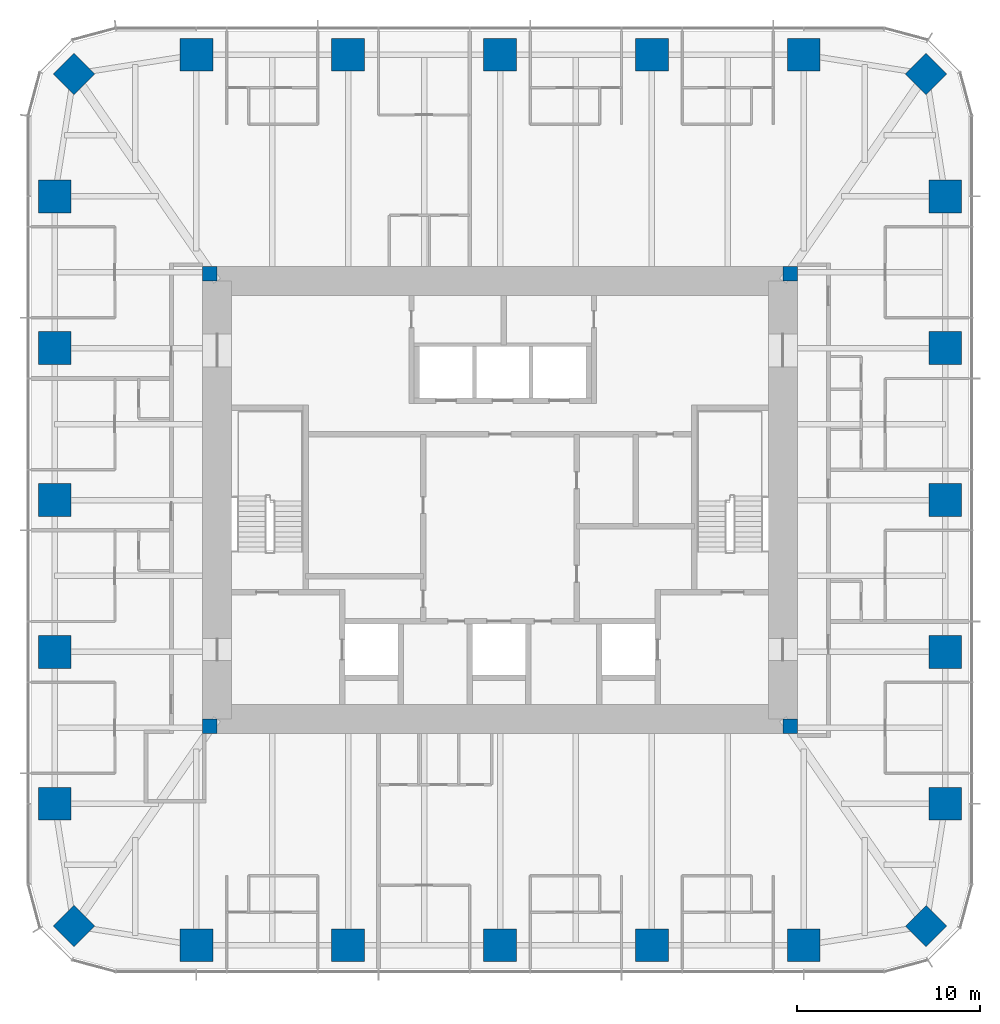
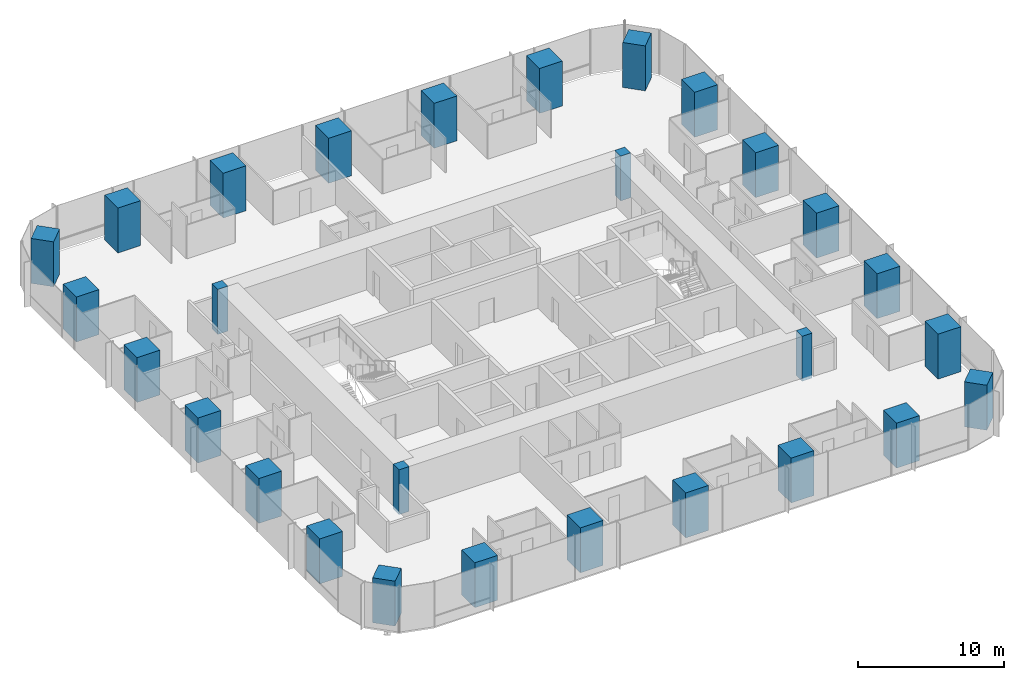
# One storey, part 1 of 13: 28 columns.
"""IFC4 building model written with IfcOpenShell, lengths in metres."""

from ifc_helpers import new_model, si_unit, direction, frame, origin, origin_2d, place, context, subcontext, project, spatial, rectangle, extrude, material, material_profile, profile_set, type_object, element, save


model = new_model("IFC4")

# Units and contexts
model_context = context("Model", 3, precision=1e-05, world=origin(), true_north=direction((0.0, 1.0)))
body_context = subcontext(model_context, "Body", "Model", "MODEL_VIEW")
ifc_project = project(units=[si_unit("LENGTHUNIT", "METRE"), si_unit("AREAUNIT", "SQUARE_METRE"), si_unit("VOLUMEUNIT", "CUBIC_METRE"), si_unit("PLANEANGLEUNIT", "RADIAN"), si_unit("MASSUNIT", "GRAM", prefix="KILO")], contexts=[model_context])

# Site, building, storey
site_placement = place(None, origin())
site = spatial("IfcSite", under=ifc_project, at=site_placement, CompositionType="ELEMENT")
building_placement = place(site_placement, origin())
building = spatial("IfcBuilding", under=site, at=building_placement, Name="Khuree Lantern Residences", CompositionType="ELEMENT")
storey_placement = place(building_placement, frame((0.0, 0.0, 259.5)))
storey = spatial("IfcBuildingStorey", under=building, at=storey_placement, Name="L65", CompositionType="ELEMENT", Elevation=259.5)

# Columns
ifc_material_1 = material(Name="Concrete C70/85", Category="concrete")
ifc_material_profile_1 = material_profile(ifc_material_1, rectangle(XDim=1.60009765625, YDim=1.60009765625, at=origin_2d()), Name="RC 1600X1600")
ifc_profile_set_1 = profile_set([ifc_material_profile_1], Name="Concrete C70/85")
column_type_1 = type_object("IfcColumnType", Name="CC1600A PERIMETER CORNER COLUMN RC 1600X1600", PredefinedType="COLUMN", material=ifc_profile_set_1)
for number, where, z_axis, x_axis, name in (
    (1, (23.345703125, 23.345703125, 0.0), (0.0, 0.0, 1.0), (0.707106781187, -0.707106781187, 0.0), "Perimeter column NE"),
    (2, (23.345703125, -23.345703125, 0.0), (0.0, 0.0, 1.0), (0.707106781187, 0.707106781187, 0.0), "Perimeter column SE"),
    (3, (-23.345703125, -23.345703125, 0.0), (0.0, 0.0, 1.0), (0.707106781187, -0.707106781187, 0.0), "Perimeter column SW"),
    (4, (-23.345703125, 23.345703125, 0.0), (0.0, 0.0, 1.0), (0.707106781187, 0.707106781187, 0.0), "Perimeter column NW"),
):
    element("IfcColumn", number, at=place(storey_placement, frame(where, z_axis=z_axis, x_axis=x_axis)), inside=storey, type_object=column_type_1, Name=name, PredefinedType="COLUMN", context=body_context, shape_type="SweptSolid", body=[
        extrude(rectangle(XDim=1.60009765625, YDim=1.60009765625, at=origin_2d()), origin(), (0.0, 0.0, 1.0), 3.75),
    ])
ifc_material_2 = material(Name="Concrete C50/60", Category="concrete")
ifc_material_profile_2 = material_profile(ifc_material_2, rectangle(XDim=0.800048828125, YDim=0.800048828125, at=origin_2d()), Name="RC 800X800")
ifc_profile_set_2 = profile_set([ifc_material_profile_2], Name="Concrete C50/60")
column_type_2 = type_object("IfcColumnType", Name="CP800-C50 CORE CORNER PIER C50 RC 800X800", PredefinedType="COLUMN", material=ifc_profile_set_2)
for number, where, z_axis, x_axis, name in (
    (5, (15.89990234375, 12.39990234375, -0.25), (0.0, 0.0, 1.0), (1.0, 0.0, 0.0), "Core corner pier NE"),
    (6, (-15.89990234375, 12.39990234375, -0.25), (0.0, 0.0, 1.0), (1.0, 0.0, 0.0), "Core corner pier NW"),
    (7, (-15.89990234375, -12.39990234375, -0.25), (0.0, 0.0, 1.0), (1.0, 0.0, 0.0), "Core corner pier SW"),
    (8, (15.89990234375, -12.39990234375, -0.25), (0.0, 0.0, 1.0), (1.0, 0.0, 0.0), "Core corner pier SE"),
):
    element("IfcColumn", number, at=place(storey_placement, frame(where, z_axis=z_axis, x_axis=x_axis)), inside=storey, type_object=column_type_2, Name=name, PredefinedType="COLUMN", context=body_context, shape_type="SweptSolid", body=[
        extrude(rectangle(XDim=0.800048828125, YDim=0.800048828125, at=origin_2d()), origin(), (0.0, 0.0, 1.0), 3.75),
    ])
ifc_material_profile_3 = material_profile(ifc_material_1, rectangle(XDim=1.800048828125, YDim=1.800048828125, at=origin_2d()), Name="RC 1800X1800")
ifc_profile_set_3 = profile_set([ifc_material_profile_3], Name="Concrete C70/85")
column_type_3 = type_object("IfcColumnType", Name="PC4 PERIMETER COLUMN RC 1800X1800", PredefinedType="COLUMN", material=ifc_profile_set_3)
for number, where, z_axis, x_axis, name in (
    (9, (-16.639892578125, 24.39990234375, 0.0), (0.0, 0.0, 1.0), (1.0, 0.0, 0.0), "Perimeter column N1"),
    (10, (-8.320068359375, 24.39990234375, 0.0), (0.0, 0.0, 1.0), (1.0, 0.0, 0.0), "Perimeter column N2"),
    (11, (0.0, 24.39990234375, 0.0), (0.0, 0.0, 1.0), (1.0, 0.0, 0.0), "Perimeter column N3"),
    (12, (8.320068359375, 24.39990234375, 0.0), (0.0, 0.0, 1.0), (1.0, 0.0, 0.0), "Perimeter column N4"),
    (13, (16.639892578125, 24.39990234375, 0.0), (0.0, 0.0, 1.0), (1.0, 0.0, 0.0), "Perimeter column N5"),
    (14, (24.39990234375, 16.639892578125, 0.0), (0.0, 0.0, 1.0), (0.0, 1.0, 0.0), "Perimeter column E1"),
    (15, (24.39990234375, 8.320068359375, 0.0), (0.0, 0.0, 1.0), (0.0, 1.0, 0.0), "Perimeter column E2"),
    (16, (24.39990234375, 0.0, 0.0), (0.0, 0.0, 1.0), (0.0, 1.0, 0.0), "Perimeter column E3"),
    (17, (24.39990234375, -8.320068359375, 0.0), (0.0, 0.0, 1.0), (0.0, 1.0, 0.0), "Perimeter column E4"),
    (18, (24.39990234375, -16.639892578125, 0.0), (0.0, 0.0, 1.0), (0.0, 1.0, 0.0), "Perimeter column E5"),
    (19, (16.639892578125, -24.39990234375, 0.0), (0.0, 0.0, 1.0), (1.0, 0.0, 0.0), "Perimeter column S1"),
    (20, (8.320068359375, -24.39990234375, 0.0), (0.0, 0.0, 1.0), (1.0, 0.0, 0.0), "Perimeter column S2"),
    (21, (0.0, -24.39990234375, 0.0), (0.0, 0.0, 1.0), (1.0, 0.0, 0.0), "Perimeter column S3"),
    (22, (-8.320068359375, -24.39990234375, 0.0), (0.0, 0.0, 1.0), (1.0, 0.0, 0.0), "Perimeter column S4"),
    (23, (-16.639892578125, -24.39990234375, 0.0), (0.0, 0.0, 1.0), (1.0, 0.0, 0.0), "Perimeter column S5"),
    (24, (-24.39990234375, -16.639892578125, 0.0), (0.0, 0.0, 1.0), (0.0, 1.0, 0.0), "Perimeter column W1"),
    (25, (-24.39990234375, -8.320068359375, 0.0), (0.0, 0.0, 1.0), (0.0, 1.0, 0.0), "Perimeter column W2"),
    (26, (-24.39990234375, 0.0, 0.0), (0.0, 0.0, 1.0), (0.0, 1.0, 0.0), "Perimeter column W3"),
    (27, (-24.39990234375, 8.320068359375, 0.0), (0.0, 0.0, 1.0), (0.0, 1.0, 0.0), "Perimeter column W4"),
    (28, (-24.39990234375, 16.639892578125, 0.0), (0.0, 0.0, 1.0), (0.0, 1.0, 0.0), "Perimeter column W5"),
):
    element("IfcColumn", number, at=place(storey_placement, frame(where, z_axis=z_axis, x_axis=x_axis)), inside=storey, type_object=column_type_3, Name=name, PredefinedType="COLUMN", context=body_context, shape_type="SweptSolid", body=[
        extrude(rectangle(XDim=1.800048828125, YDim=1.800048828125, at=origin_2d()), origin(), (0.0, 0.0, 1.0), 3.75),
    ])

save(model, "model.ifc")
